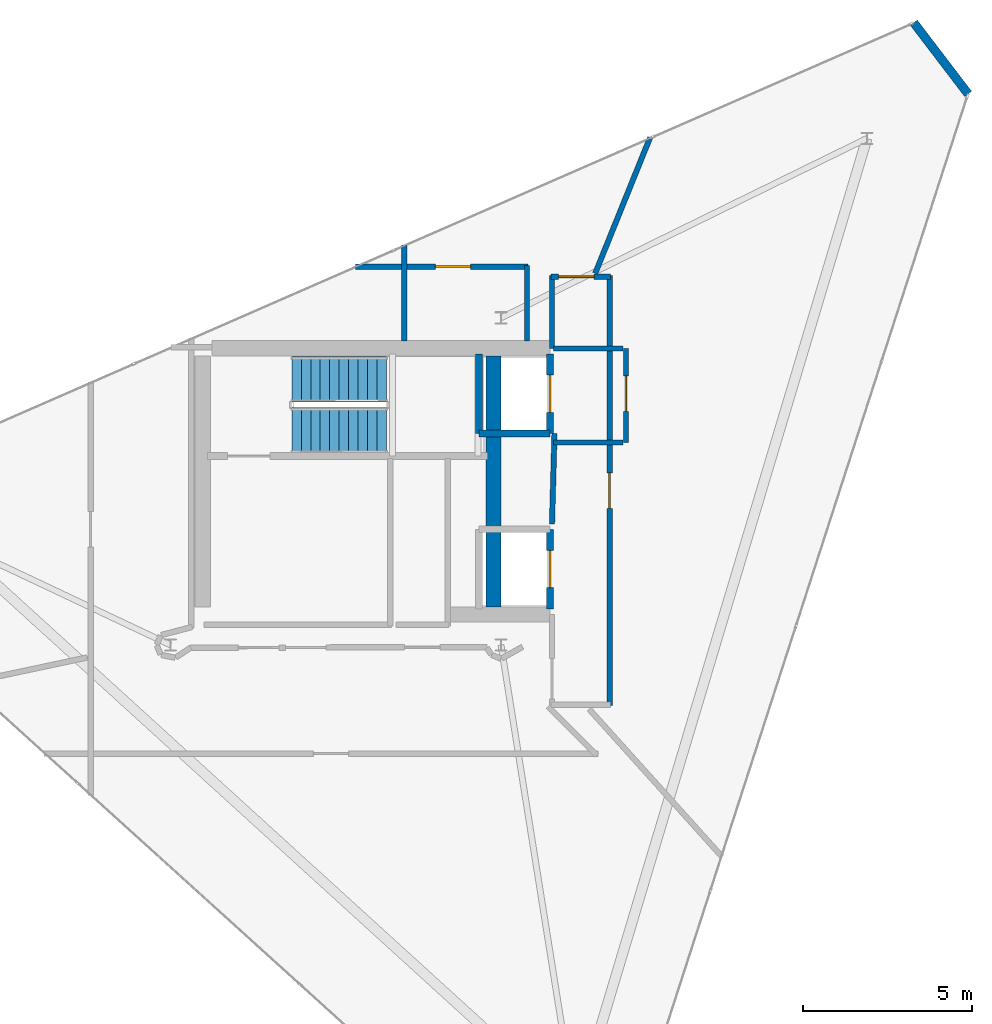
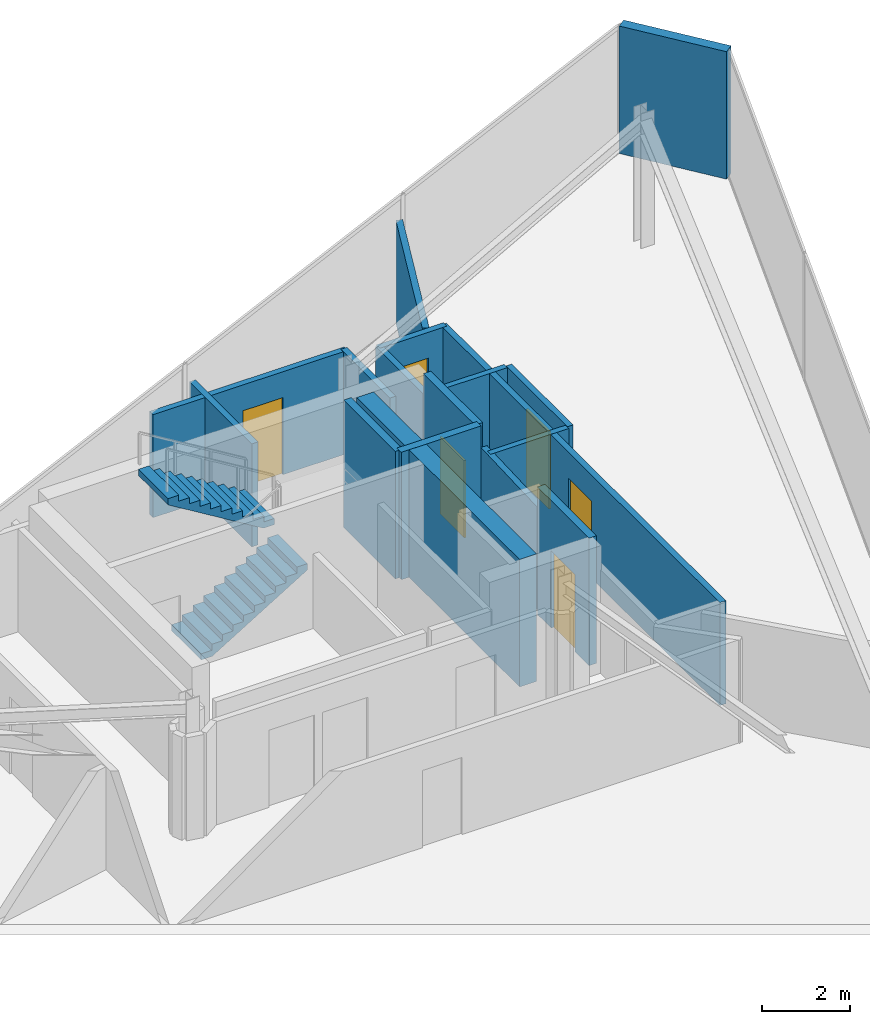
# One storey, part 13 of 14: 17 walls, 6 doors, 2 stair flights, 6 openings, 1 element without a shape of its own.
"""IFC4 building model written with IfcOpenShell, lengths in metres."""

import ifcopenshell
import ifcopenshell.guid

model = None  # the IFC model being written
_history = None  # IfcOwnerHistory: only IFC2X3 demands one
_inside = {}  # id of a spatial element -> (the spatial element, [elements in it])
_under = {}  # id of a project, library or spatial element -> (it, [spatial elements below it])
_declared = {}  # id of a project -> (the project, [libraries it declares])
_typed = {}  # id of a type object -> (the type object, [elements of that type])
_made_of = {}  # id of a material, layer set ... -> (it, [elements and type objects made of it])


def new_model(schema):
    """Start an empty IFC model of exactly this schema.

    Asked for "IFC4X3", IfcOpenShell would pick the latest addendum, in which some entities
    have other attributes; the version numbers below select the first issue.
    IFC2X3 requires an IfcOwnerHistory on every rooted entity: one is made here for all.
    """
    global model, _history
    if schema == "IFC4X3":
        model = ifcopenshell.file(schema_version=(4, 3, 0, 0))
    else:
        model = ifcopenshell.file(schema=schema)
    _inside.clear()
    _under.clear()
    _declared.clear()
    _typed.clear()
    _made_of.clear()
    _history = None
    if model.schema == "IFC2X3":
        org = make("IfcOrganization", Name="unknown")
        user = make(
            "IfcPersonAndOrganization",
            ThePerson=make("IfcPerson", FamilyName="unknown"),
            TheOrganization=org,
        )
        app = make(
            "IfcApplication",
            ApplicationDeveloper=org,
            Version="unknown",
            ApplicationFullName="unknown",
            ApplicationIdentifier="unknown",
        )
        _history = make(
            "IfcOwnerHistory",
            OwningUser=user,
            OwningApplication=app,
            ChangeAction="ADDED",
            CreationDate=0,
        )
    return model


def make(cls, **values):
    """One entity of the class cls with the attributes given. An attribute that is None is left unset."""
    return model.create_entity(
        cls, **{name: value for name, value in values.items() if value is not None}
    )


def rooted(cls, **values):
    """An entity with a GlobalId (a new one), such as an element, a storey or a relation."""
    return make(cls, GlobalId=ifcopenshell.guid.new(), OwnerHistory=_history, **values)


def si_unit(unit_type, name, prefix=None):
    """IfcSIUnit, for example si_unit("LENGTHUNIT", "METRE", prefix="MILLI")."""
    return make("IfcSIUnit", UnitType=unit_type, Prefix=prefix, Name=name)


def assignment(units):
    """IfcUnitAssignment: the units of a project."""
    return None if units is None else make("IfcUnitAssignment", Units=units)


def point(xyz):
    """IfcCartesianPoint."""
    return None if xyz is None else make("IfcCartesianPoint", Coordinates=xyz)


def direction(xyz):
    """IfcDirection."""
    return None if xyz is None else make("IfcDirection", DirectionRatios=xyz)


def frame(location, z_axis=None, x_axis=None):
    """IfcAxis2Placement3D, a coordinate frame: its origin and axes. An axis left out is left unset."""
    return make(
        "IfcAxis2Placement3D",
        Location=point(location),
        Axis=direction(z_axis),
        RefDirection=direction(x_axis),
    )


def frame_2d(location, x_axis=None):
    """IfcAxis2Placement2D, a coordinate frame in the plane: its origin and x axis."""
    return make(
        "IfcAxis2Placement2D", Location=point(location), RefDirection=direction(x_axis)
    )


def origin():
    """The frame at (0, 0, 0) with its axes left unset."""
    return frame((0.0, 0.0, 0.0))


def place(relative_to, where):
    """IfcLocalPlacement: puts the frame where relative to a parent placement (None: the world)."""
    return make(
        "IfcLocalPlacement", PlacementRelTo=relative_to, RelativePlacement=where
    )


def context(
    kind, dimensions, precision=None, world=None, true_north=None, identifier=None
):
    """IfcGeometricRepresentationContext, for example the 3D "Model" context."""
    return make(
        "IfcGeometricRepresentationContext",
        ContextIdentifier=identifier,
        ContextType=kind,
        CoordinateSpaceDimension=dimensions,
        Precision=precision,
        WorldCoordinateSystem=world,
        TrueNorth=true_north,
    )


def subcontext(parent, identifier, kind, view, scale=None):
    """IfcGeometricRepresentationSubContext, for example "Body" below "Model"."""
    return make(
        "IfcGeometricRepresentationSubContext",
        ContextIdentifier=identifier,
        ContextType=kind,
        ParentContext=parent,
        TargetScale=scale,
        TargetView=view,
    )


def project(units=None, contexts=None):
    """IfcProject with its units and contexts."""
    return rooted(
        "IfcProject",
        Name="project",
        RepresentationContexts=contexts,
        UnitsInContext=assignment(units),
    )


def spatial(cls, under=None, at=None, **own):
    """A site, building, storey or space (cls), placed at a placement, below another one or the project."""
    s = rooted(cls, ObjectPlacement=at, **own)
    if under is not None:
        _under.setdefault(under.id(), (under, []))[1].append(s)
    return s


def polyline(points):
    """IfcPolyline through the points."""
    return make("IfcPolyline", Points=[point(p) for p in points])


def profile(cls, at=None, kind="AREA", **sizes):
    """A parametric profile (cls). Its sizes go by their IFC names, for example OverallWidth=200.0."""
    return make(cls, ProfileType=kind, Position=at, **sizes)


def rectangle(**sizes):
    """IfcRectangleProfileDef."""
    return profile("IfcRectangleProfileDef", **sizes)


def outline(outer, holes=None, kind="AREA"):
    """IfcArbitraryClosedProfileDef: a profile drawn as a closed curve; with holes, ...WithVoids."""
    if holes is None:
        return make("IfcArbitraryClosedProfileDef", ProfileType=kind, OuterCurve=outer)
    return make(
        "IfcArbitraryProfileDefWithVoids",
        ProfileType=kind,
        OuterCurve=outer,
        InnerCurves=holes,
    )


def extrude(swept, where, along, depth):
    """IfcExtrudedAreaSolid: the profile swept, set in the frame where, extruded along a direction by depth."""
    return make(
        "IfcExtrudedAreaSolid",
        SweptArea=swept,
        Position=where,
        ExtrudedDirection=direction(along),
        Depth=depth,
    )


def shape(context_of_items, identifier, shape_type, items):
    """IfcShapeRepresentation: the items that make up one representation, for example the "Body"."""
    return make(
        "IfcShapeRepresentation",
        ContextOfItems=context_of_items,
        RepresentationIdentifier=identifier,
        RepresentationType=shape_type,
        Items=items,
    )


def material(Name=None, Category=None):
    """IfcMaterial."""
    return make("IfcMaterial", Name=Name, Category=Category)


def layer(
    of_material, thickness, ventilated=None, Name=None, Category=None, Priority=None
):
    """IfcMaterialLayer: one layer of a wall or slab, of a material (None: an air gap)."""
    return make(
        "IfcMaterialLayer",
        Material=of_material,
        LayerThickness=thickness,
        IsVentilated=ventilated,
        Name=Name,
        Category=Category,
        Priority=Priority,
    )


def layer_set(layers, Name=None):
    """IfcMaterialLayerSet."""
    return make("IfcMaterialLayerSet", MaterialLayers=layers, LayerSetName=Name)


def made_of(thing, what):
    """Note that an element or type object is made of a material, layer set ...; save() writes the relation."""
    if what is not None:
        _made_of.setdefault(what.id(), (what, []))[1].append(thing)
    return thing


def type_object(cls, material=None, **own):
    """A type object (cls), such as IfcWallType, which elements share."""
    return made_of(rooted(cls, **own), material)


def element(
    cls,
    number,
    at=None,
    inside=None,
    cuts=None,
    type_object=None,
    material=None,
    context=None,
    identifier="Body",
    shape_type=None,
    held_by="IfcProductDefinitionShape",
    body=None,
    shapes=None,
    **own,
):
    """One element of the class cls, such as IfcWall. Its Tag is "e" and its number.

    at: its placement. inside: the storey or other place that contains it. cuts: it is an
    opening in that element (IfcRelVoidsElement). A single representation is given by context,
    identifier, shape_type and body (its items); several are given by shapes. held_by: the class
    of the entity that holds the representations. save() writes the other relations.
    """
    e = rooted(cls, Tag="e%d" % number, ObjectPlacement=at, **own)
    if body is not None:
        shapes = [shape(context, identifier, shape_type, body)]
    if shapes is not None:
        e.Representation = make(held_by, Representations=shapes)
    if inside is not None:
        _inside.setdefault(inside.id(), (inside, []))[1].append(e)
    if cuts is not None:
        rooted(
            "IfcRelVoidsElement", RelatingBuildingElement=cuts, RelatedOpeningElement=e
        )
    if type_object is not None:
        _typed.setdefault(type_object.id(), (type_object, []))[1].append(e)
    return made_of(e, material)


def fill(opening, filler):
    """IfcRelFillsElement: the door or window that sits in an opening."""
    return rooted(
        "IfcRelFillsElement",
        RelatingOpeningElement=opening,
        RelatedBuildingElement=filler,
    )


def aggregate(whole, parts):
    """IfcRelAggregates: a whole, such as a stair, and the parts it consists of."""
    return rooted("IfcRelAggregates", RelatingObject=whole, RelatedObjects=parts)


def save(model, path):
    """Write the relations noted so far, then the file.

    IfcRelAggregates (storeys below a building ...), IfcRelContainedInSpatialStructure (elements
    in a storey), IfcRelDefinesByType, IfcRelAssociatesMaterial and IfcRelDeclares: one each for
    every whole, place, type object, material and project.
    """
    for whole, parts in _under.values():
        aggregate(whole, parts)
    for where, things in _inside.values():
        rooted(
            "IfcRelContainedInSpatialStructure",
            RelatedElements=things,
            RelatingStructure=where,
        )
    for kind, things in _typed.values():
        rooted("IfcRelDefinesByType", RelatedObjects=things, RelatingType=kind)
    for what, things in _made_of.values():
        rooted("IfcRelAssociatesMaterial", RelatedObjects=things, RelatingMaterial=what)
    for by, libraries in _declared.values():
        rooted("IfcRelDeclares", RelatingContext=by, RelatedDefinitions=libraries)
    model.write(path)


model = new_model("IFC4")

# Units and contexts
model_context = context("Model", 3, precision=1e-05, world=origin(), true_north=direction((0.0, 1.0)))
body_context = subcontext(model_context, "Body", "Model", "MODEL_VIEW")
ifc_project = project(units=[si_unit("LENGTHUNIT", "METRE"), si_unit("AREAUNIT", "SQUARE_METRE"), si_unit("VOLUMEUNIT", "CUBIC_METRE"), si_unit("PLANEANGLEUNIT", "RADIAN"), si_unit("MASSUNIT", "GRAM", prefix="KILO")], contexts=[model_context])

# Site, building, storey
site_placement = place(None, origin())
site = spatial("IfcSite", under=ifc_project, at=site_placement, CompositionType="ELEMENT")
building_placement = place(site_placement, origin())
building = spatial("IfcBuilding", under=site, at=building_placement, Name="Qianvela Tower", CompositionType="ELEMENT")
storey_placement = place(building_placement, frame((0.0, 0.0, 363.800048828125)))
storey = spatial("IfcBuildingStorey", under=building, at=storey_placement, Name="L94", CompositionType="ELEMENT", Elevation=363.800048828125)

# Walls
ifc_material_1 = material(Name="Terracotta Cladding on Concrete C40", Category="masonry")
ifc_layer_1 = layer(ifc_material_1, 0.260009765625)
ifc_layer_set_1 = layer_set([ifc_layer_1], Name="Terracotta Cladding on Concrete C40")
wall_type_1 = type_object("IfcWallType", Name="TERRACOTTA-WALL-260", PredefinedType="SOLIDWALL", material=ifc_layer_set_1)
wall_1_placement = place(storey_placement, frame((52.248291015625, 40.18701171875, 0.0), z_axis=(0.0, 0.0, 1.0), x_axis=(-0.606477726375, 0.795100476299, 0.0)))
element("IfcWall", 1, at=wall_1_placement, inside=storey, type_object=wall_type_1, Name="L94 Crown Terracotta Cladding Wall 1", PredefinedType="SOLIDWALL", context=body_context, shape_type="SweptSolid", body=[
    extrude(rectangle(XDim=2.6572265625, YDim=0.260009765625, at=frame_2d((1.32861328125, 0.0))), origin(), (0.0, 0.0, 1.0), 3.550048828125),
])
ifc_material_2 = material(Name="Concrete C50", Category="concrete")
ifc_layer_2 = layer(ifc_material_2, 0.449951171875)
ifc_layer_set_2 = layer_set([ifc_layer_2], Name="Concrete C50")
wall_type_2 = type_object("IfcWallType", Name="WT-CORE-450", PredefinedType="SHEAR", material=ifc_layer_set_2)
wall_2_placement = place(storey_placement, frame((38.179931640625, 24.97998046875, 0.0), z_axis=(0.0, 0.0, 1.0), x_axis=(0.0, 1.0, 0.0)))
element("IfcWall", 2, at=wall_2_placement, inside=storey, type_object=wall_type_2, Name="L94 East Spine Core Shear Wall", PredefinedType="SHEAR", context=body_context, shape_type="SweptSolid", body=[
    extrude(rectangle(XDim=7.43994140625, YDim=0.449951171875, at=frame_2d((3.719970703125, 0.0))), origin(), (0.0, 0.0, 1.0), 3.550048828125),
])

# Wall, opening, door
ifc_material_3 = material(Name="Fire-Rated Acoustic Gypsum Board")
ifc_layer_3 = layer(ifc_material_3, 0.14990234375)
ifc_layer_set_3 = layer_set([ifc_layer_3], Name="Fire-Rated Acoustic Gypsum Board")
wall_type_3 = type_object("IfcWallType", Name="WT-CORR-150", PredefinedType="PARTITIONING", material=ifc_layer_set_3)
wall_3_placement = place(storey_placement, frame((42.10009765625, 29.85009765625, 0.0), z_axis=(0.0, 0.0, 1.0), x_axis=(0.0, 1.0, 0.0)))
wall_3 = element("IfcWall", 3, at=wall_3_placement, inside=storey, type_object=wall_type_3, Name="L94 Crown Mechanical Plant Partition 1", PredefinedType="PARTITIONING", context=body_context, shape_type="SweptSolid", body=[
    extrude(rectangle(XDim=2.794921875, YDim=0.14990234375, at=frame_2d((1.3974609375, 0.0))), origin(), (0.0, 0.0, 1.0), 2.869873046875),
])
opening_1_placement = place(wall_3_placement, frame((0.925048828125, 0.0, 0.0)))
opening_1 = element("IfcOpeningElement", 4, at=opening_1_placement, cuts=wall_3, Name="Opening D-PL1", PredefinedType="OPENING", context=body_context, shape_type="SweptSolid", body=[
    extrude(rectangle(XDim=1.050048828125, YDim=2.14990234375, at=frame_2d((0.52490234375, 1.074951171875))), frame((0.0, 0.0849609375, 0.0), z_axis=(0.0, -1.0, 0.0), x_axis=(1.0, 0.0, 0.0)), (0.0, 0.0, 1.0), 0.169921875),
])
ifc_material_4 = material(Name="Insulated Steel Fire Door Q355B", Category="steel")
door_type_1 = type_object("IfcDoorType", Name="DT-PLANT-FD90", OperationType="NOTDEFINED", PredefinedType="DOOR", material=ifc_material_4)
door_1_placement = place(opening_1_placement, origin())
door_1 = element("IfcDoor", 5, at=door_1_placement, inside=storey, type_object=door_type_1, Name="L94 Crown Mechanical Plant Room Door", OperationType="SINGLE_SWING_LEFT", OverallHeight=2.14990234375, OverallWidth=1.050048828125, PredefinedType="DOOR", context=body_context, shape_type="SweptSolid", body=[
    extrude(rectangle(XDim=1.050048828125, YDim=2.14990234375, at=frame_2d((0.52490234375, 1.074951171875))), frame((0.0, 0.02490234375, 0.0), z_axis=(0.0, -1.0, 0.0), x_axis=(1.0, 0.0, 0.0)), (0.0, 0.0, 1.0), 0.050048828125),
])
fill(opening_1, door_1)

# Walls
for number, where, z_axis, x_axis, name in (
    (6, (39.9599609375, 29.85009765625, 0.0), (0.0, 0.0, 1.0), (1.0, 0.0, 0.0), "L94 Crown Mechanical Plant Partition 2"),
    (7, (39.9599609375, 32.64501953125, 0.0), (0.0, 0.0, 1.0), (1.0, 0.0, 0.0), "L94 Crown Mechanical Plant Partition 3"),
):
    element("IfcWall", number, at=place(storey_placement, frame(where, z_axis=z_axis, x_axis=x_axis)), inside=storey, type_object=wall_type_3, Name=name, PredefinedType="PARTITIONING", context=body_context, shape_type="SweptSolid", body=[
        extrude(rectangle(XDim=2.06005859375, YDim=0.14990234375, at=frame_2d((1.030029296875, 0.0))), origin(), (0.0, 0.0, 1.0), 2.869873046875),
    ])
ifc_material_5 = material(Name="Fire-Rated Gypsum and Concrete Block", Category="concrete")
ifc_layer_4 = layer(ifc_material_5, 0.159912109375)
ifc_layer_set_4 = layer_set([ifc_layer_4], Name="Fire-Rated Gypsum and Concrete Block")
wall_type_4 = type_object("IfcWallType", Name="WT-CORR-160", PredefinedType="PARTITIONING", material=ifc_layer_set_4)
wall_4_placement = place(storey_placement, frame((39.910888671875, 27.439208984375, 0.0), z_axis=(0.0, 0.0, 1.0), x_axis=(0.027673579092, 0.999617013171, 0.0)))
element("IfcWall", 8, at=wall_4_placement, inside=storey, type_object=wall_type_4, Name="L94 Partition 7 seg 1", PredefinedType="PARTITIONING", context=body_context, shape_type="SweptSolid", body=[
    extrude(rectangle(XDim=2.681884765625, YDim=0.159912109375, at=frame_2d((1.3408203125, 0.0))), origin(), (0.0, 0.0, 1.0), 2.869873046875),
])
wall_5_placement = place(storey_placement, frame((39.910888671875, 32.639892578125, 0.0), z_axis=(0.0, 0.0, 1.0), x_axis=(0.0, 1.0, 0.0)))
element("IfcWall", 9, at=wall_5_placement, inside=storey, type_object=wall_type_4, Name="L94 Partition 8", PredefinedType="PARTITIONING", context=body_context, shape_type="SweptSolid", body=[
    extrude(rectangle(XDim=2.16015625, YDim=0.159912109375, at=frame_2d((1.080078125, 0.0))), origin(), (0.0, 0.0, 1.0), 2.869873046875),
])

# Wall, opening, door
wall_6_placement = place(storey_placement, frame((39.8798828125, 34.76904296875, 0.0), z_axis=(0.0, 0.0, 1.0), x_axis=(1.0, 0.0, 0.0)))
wall_6 = element("IfcWall", 10, at=wall_6_placement, inside=storey, type_object=wall_type_4, Name="L94 Partition 9", PredefinedType="PARTITIONING", context=body_context, shape_type="SweptSolid", body=[
    extrude(rectangle(XDim=1.77001953125, YDim=0.159912109375, at=frame_2d((0.885009765625, 0.0))), origin(), (0.0, 0.0, 1.0), 2.869873046875),
])
opening_2_placement = place(wall_6_placement, frame((0.22998046875, 0.0, 0.0)))
opening_2 = element("IfcOpeningElement", 11, at=opening_2_placement, cuts=wall_6, Name="Opening D-PL1", PredefinedType="OPENING", context=body_context, shape_type="SweptSolid", body=[
    extrude(rectangle(XDim=1.050048828125, YDim=2.14990234375, at=frame_2d((0.52490234375, 1.074951171875))), frame((0.0, 0.08984375, 0.0), z_axis=(0.0, -1.0, 0.0), x_axis=(1.0, 0.0, 0.0)), (0.0, 0.0, 1.0), 0.179931640625),
])
door_2_placement = place(opening_2_placement, origin())
door_2 = element("IfcDoor", 12, at=door_2_placement, inside=storey, type_object=door_type_1, Name="L94 Door L94 Atrium Smoke Exhaust Plant Room to L94 Lift Lobby", OperationType="SINGLE_SWING_LEFT", OverallHeight=2.14990234375, OverallWidth=1.050048828125, PredefinedType="DOOR", context=body_context, shape_type="SweptSolid", body=[
    extrude(rectangle(XDim=1.050048828125, YDim=2.14990234375, at=frame_2d((0.52490234375, 1.074951171875))), frame((0.0, 0.02490234375, 0.0), z_axis=(0.0, -1.0, 0.0), x_axis=(1.0, 0.0, 0.0)), (0.0, 0.0, 1.0), 0.050048828125),
])
fill(opening_2, door_2)

wall_7_placement = place(storey_placement, frame((41.618896484375, 34.800048828125, 0.0), z_axis=(0.0, 0.0, 1.0), x_axis=(0.0, -1.0, 0.0)))
wall_7 = element("IfcWall", 13, at=wall_7_placement, inside=storey, type_object=wall_type_4, Name="L94 Partition 10", PredefinedType="PARTITIONING", context=body_context, shape_type="SweptSolid", body=[
    extrude(rectangle(XDim=12.75, YDim=0.159912109375, at=frame_2d((6.375, 0.0))), origin(), (0.0, 0.0, 1.0), 2.869873046875),
])
opening_3_placement = place(wall_7_placement, frame((5.85009765625, 0.0, 0.0)))
opening_3 = element("IfcOpeningElement", 14, at=opening_3_placement, cuts=wall_7, Name="Opening D-PL1", PredefinedType="OPENING", context=body_context, shape_type="SweptSolid", body=[
    extrude(rectangle(XDim=1.050048828125, YDim=2.14990234375, at=frame_2d((0.52490234375, 1.074951171875))), frame((0.0, 0.08984375, 0.0), z_axis=(0.0, -1.0, 0.0), x_axis=(1.0, 0.0, 0.0)), (0.0, 0.0, 1.0), 0.179931640625),
])
door_3_placement = place(opening_3_placement, origin())
door_3 = element("IfcDoor", 15, at=door_3_placement, inside=storey, type_object=door_type_1, Name="L94 Door L94 Solar Inverter Switchgear Plant Room to L94 Lift Lobby", OperationType="SINGLE_SWING_RIGHT", OverallHeight=2.14990234375, OverallWidth=1.050048828125, PredefinedType="DOOR", context=body_context, shape_type="SweptSolid", body=[
    extrude(rectangle(XDim=1.050048828125, YDim=2.14990234375, at=frame_2d((0.52490234375, 1.074951171875))), frame((0.0, 0.02490234375, 0.0), z_axis=(0.0, -1.0, 0.0), x_axis=(1.0, 0.0, 0.0)), (0.0, 0.0, 1.0), 0.050048828125),
])
fill(opening_3, door_3)

# Wall
wall_8_placement = place(storey_placement, frame((35.531005859375, 32.85791015625, 0.0), z_axis=(0.0, 0.0, 1.0), x_axis=(0.0, 1.0, 0.0)))
element("IfcWall", 16, at=wall_8_placement, inside=storey, type_object=wall_type_4, Name="L94 Partition 17", PredefinedType="PARTITIONING", context=body_context, shape_type="SweptSolid", body=[
    extrude(rectangle(XDim=2.8564453125, YDim=0.159912109375, at=frame_2d((1.42822265625, 0.0))), origin(), (0.0, 0.0, 1.0), 2.869873046875),
])

# Wall, opening, door
wall_9_placement = place(storey_placement, frame((34.080810546875, 35.069091796875, 0.0), z_axis=(0.0, 0.0, 1.0), x_axis=(1.0, 0.0, 0.0)))
wall_9 = element("IfcWall", 17, at=wall_9_placement, inside=storey, type_object=wall_type_4, Name="L94 Partition 18", PredefinedType="PARTITIONING", context=body_context, shape_type="SweptSolid", body=[
    extrude(rectangle(XDim=5.119140625, YDim=0.159912109375, at=frame_2d((2.5595703125, 0.0))), origin(), (0.0, 0.0, 1.0), 2.869873046875),
])
opening_4_placement = place(wall_9_placement, frame((2.369384765625, 0.0, 0.0)))
opening_4 = element("IfcOpeningElement", 18, at=opening_4_placement, cuts=wall_9, Name="Opening D-PL1", PredefinedType="OPENING", context=body_context, shape_type="SweptSolid", body=[
    extrude(rectangle(XDim=1.050048828125, YDim=2.14990234375, at=frame_2d((0.52490234375, 1.074951171875))), frame((0.0, 0.08984375, 0.0), z_axis=(0.0, -1.0, 0.0), x_axis=(1.0, 0.0, 0.0)), (0.0, 0.0, 1.0), 0.179931640625),
])
door_4_placement = place(opening_4_placement, origin())
door_4 = element("IfcDoor", 19, at=door_4_placement, inside=storey, type_object=door_type_1, Name="L94 Door L94 Reclaimed Shaft Equipment Store to L94 Atrium Smoke Exhaust Plant Room", OperationType="SINGLE_SWING_LEFT", OverallHeight=2.14990234375, OverallWidth=1.050048828125, PredefinedType="DOOR", context=body_context, shape_type="SweptSolid", body=[
    extrude(rectangle(XDim=1.050048828125, YDim=2.14990234375, at=frame_2d((0.52490234375, 1.074951171875))), frame((0.0, 0.02490234375, 0.0), z_axis=(0.0, -1.0, 0.0), x_axis=(1.0, 0.0, 0.0)), (0.0, 0.0, 1.0), 0.050048828125),
])
fill(opening_4, door_4)

# Walls
wall_10_placement = place(storey_placement, frame((39.1689453125, 35.10009765625, 0.0), z_axis=(0.0, 0.0, 1.0), x_axis=(0.0, -1.0, 0.0)))
element("IfcWall", 20, at=wall_10_placement, inside=storey, type_object=wall_type_4, Name="L94 Partition 19", PredefinedType="PARTITIONING", context=body_context, shape_type="SweptSolid", body=[
    extrude(rectangle(XDim=2.2421875, YDim=0.159912109375, at=frame_2d((1.12109375, 0.0))), origin(), (0.0, 0.0, 1.0), 2.869873046875),
])
wall_11_placement = place(storey_placement, frame((41.19189453125, 34.868408203125, 0.0), z_axis=(0.0, 0.0, 1.0), x_axis=(0.374633996442, 0.927172782555, 0.0)))
element("IfcWall", 21, at=wall_11_placement, inside=storey, type_object=wall_type_4, Name="L94 Partition 46", PredefinedType="PARTITIONING", context=body_context, shape_type="SweptSolid", body=[
    extrude(rectangle(XDim=4.3447265625, YDim=0.159912109375, at=frame_2d((2.17236328125, 0.0))), origin(), (0.0, 0.0, 1.0), 2.869873046875),
])

# Wall, opening, door
ifc_material_6 = material(Name="Concrete C50", Category="concrete")
ifc_layer_5 = layer(ifc_material_6, 0.199951171875)
ifc_layer_set_5 = layer_set([ifc_layer_5], Name="Concrete C50")
wall_type_5 = type_object("IfcWallType", Name="WT-SHAFT-200", PredefinedType="SOLIDWALL", material=ifc_layer_set_5)
wall_12_placement = place(storey_placement, frame((39.85009765625, 30.1201171875, 0.0), z_axis=(0.0, 0.0, 1.0), x_axis=(0.0, 1.0, 0.0)))
wall_12 = element("IfcWall", 22, at=wall_12_placement, inside=storey, type_object=wall_type_5, Name="L94 Lift FL-1 E Shaft Wall", PredefinedType="SOLIDWALL", context=body_context, shape_type="SweptSolid", body=[
    extrude(rectangle(XDim=2.35986328125, YDim=0.199951171875, at=frame_2d((1.179931640625, 0.0))), origin(), (0.0, 0.0, 1.0), 3.550048828125),
])
opening_5_placement = place(wall_12_placement, frame((0.6298828125, 0.0, 0.0)))
opening_5 = element("IfcOpeningElement", 23, at=opening_5_placement, cuts=wall_12, Name="Opening LD-01", PredefinedType="OPENING", context=body_context, shape_type="SweptSolid", body=[
    extrude(rectangle(XDim=1.10009765625, YDim=2.14990234375, at=frame_2d((0.550048828125, 1.074951171875))), frame((0.0, 0.10986328125, 0.0), z_axis=(0.0, -1.0, 0.0), x_axis=(1.0, 0.0, 0.0)), (0.0, 0.0, 1.0), 0.219970703125),
])
ifc_material_7 = material(Name="Brushed Stainless Steel Lift Landing Door", Category="steel")
door_type_2 = type_object("IfcDoorType", Name="DT-LIFT-SLIDE-1100", OperationType="SLIDING_TO_LEFT", PredefinedType="DOOR", material=ifc_material_7)
door_5_placement = place(opening_5_placement, origin())
door_5 = element("IfcDoor", 24, at=door_5_placement, inside=storey, type_object=door_type_2, Name="L94 Lift FL-1 Sliding Landing Door", OperationType="SLIDING_TO_LEFT", OverallHeight=2.14990234375, OverallWidth=1.10009765625, PredefinedType="DOOR", context=body_context, shape_type="SweptSolid", body=[
    extrude(rectangle(XDim=1.10009765625, YDim=2.14990234375, at=frame_2d((0.550048828125, 1.074951171875))), frame((0.0, 0.02490234375, 0.0), z_axis=(0.0, -1.0, 0.0), x_axis=(1.0, 0.0, 0.0)), (0.0, 0.0, 1.0), 0.050048828125),
])
fill(opening_5, door_5)

# Walls
wall_13_placement = place(storey_placement, frame((37.75, 30.1201171875, 0.0), z_axis=(0.0, 0.0, 1.0), x_axis=(0.0, 1.0, 0.0)))
element("IfcWall", 25, at=wall_13_placement, inside=storey, type_object=wall_type_5, Name="L94 Lift FL-1 W Shaft Wall", PredefinedType="SOLIDWALL", context=body_context, shape_type="SweptSolid", body=[
    extrude(rectangle(XDim=2.35986328125, YDim=0.199951171875, at=frame_2d((1.179931640625, 0.0))), origin(), (0.0, 0.0, 1.0), 3.550048828125),
])
wall_14_placement = place(storey_placement, frame((37.75, 30.1201171875, 0.0), z_axis=(0.0, 0.0, 1.0), x_axis=(1.0, 0.0, 0.0)))
element("IfcWall", 26, at=wall_14_placement, inside=storey, type_object=wall_type_5, Name="L94 Lift FL-1 S Shaft Wall", PredefinedType="SOLIDWALL", context=body_context, shape_type="SweptSolid", body=[
    extrude(rectangle(XDim=2.10009765625, YDim=0.199951171875, at=frame_2d((1.050048828125, 0.0))), origin(), (0.0, 0.0, 1.0), 3.550048828125),
])

# Wall, opening, door
wall_15_placement = place(storey_placement, frame((39.85009765625, 24.919921875, 0.0), z_axis=(0.0, 0.0, 1.0), x_axis=(0.0, 1.0, 0.0)))
wall_15 = element("IfcWall", 27, at=wall_15_placement, inside=storey, type_object=wall_type_5, Name="L94 Lift FL-2 E Shaft Wall", PredefinedType="SOLIDWALL", context=body_context, shape_type="SweptSolid", body=[
    extrude(rectangle(XDim=2.360107421875, YDim=0.199951171875, at=frame_2d((1.18017578125, 0.0))), origin(), (0.0, 0.0, 1.0), 3.550048828125),
])
opening_6_placement = place(wall_15_placement, frame((0.6298828125, 0.0, 0.0)))
opening_6 = element("IfcOpeningElement", 28, at=opening_6_placement, cuts=wall_15, Name="Opening LD-01", PredefinedType="OPENING", context=body_context, shape_type="SweptSolid", body=[
    extrude(rectangle(XDim=1.10009765625, YDim=2.14990234375, at=frame_2d((0.550048828125, 1.074951171875))), frame((0.0, 0.10986328125, 0.0), z_axis=(0.0, -1.0, 0.0), x_axis=(1.0, 0.0, 0.0)), (0.0, 0.0, 1.0), 0.219970703125),
])
door_6_placement = place(opening_6_placement, origin())
door_6 = element("IfcDoor", 29, at=door_6_placement, inside=storey, type_object=door_type_2, Name="L94 Lift FL-2 Sliding Landing Door", OperationType="SLIDING_TO_LEFT", OverallHeight=2.14990234375, OverallWidth=1.10009765625, PredefinedType="DOOR", context=body_context, shape_type="SweptSolid", body=[
    extrude(rectangle(XDim=1.10009765625, YDim=2.14990234375, at=frame_2d((0.550048828125, 1.074951171875))), frame((0.0, 0.02490234375, 0.0), z_axis=(0.0, -1.0, 0.0), x_axis=(1.0, 0.0, 0.0)), (0.0, 0.0, 1.0), 0.050048828125),
])
fill(opening_6, door_6)

# Stair, stair flights
ifc_material_8 = material(Name="Concrete C40", Category="concrete")
stair_type = type_object("IfcStairType", Name="ST-DOGLEG-1350-R170-N22", PredefinedType="HALF_TURN_STAIR", material=ifc_material_8)
stair_placement = place(storey_placement, origin())
stair = element("IfcStair", 30, at=stair_placement, inside=storey, type_object=stair_type, Name="L94 Smoke-Proof Core Stair ST-1", PredefinedType="HALF_TURN_STAIR")
ifc_material_9 = material(Name="Concrete C40", Category="concrete")
stair_flight_type = type_object("IfcStairFlightType", Name="STF-STRAIGHT-R170-P11", PredefinedType="STRAIGHT", material=ifc_material_9)
stair_flight_1_placement = place(storey_placement, frame((32.199951171875, 30.215087890625, 0.0), z_axis=(0.0, 0.0, 1.0), x_axis=(1.0, 0.0, 0.0)))
stair_flight_1 = element("IfcStairFlight", 31, at=stair_flight_1_placement, type_object=stair_flight_type, Name="ST-1 flight 1", NumberOfRisers=11, NumberOfTreads=10, PredefinedType="STRAIGHT", RiserHeight=0.170454545, TreadLength=0.28, context=body_context, shape_type="SweptSolid", body=[
    extrude(outline(polyline([(0.0, 0.0), (0.0, 0.17041015625), (0.280029296875, 0.17041015625), (0.280029296875, 0.3408203125), (0.56005859375, 0.3408203125), (0.56005859375, 0.511474609375), (0.840087890625, 0.511474609375), (0.840087890625, 0.681884765625), (1.1201171875, 0.681884765625), (1.1201171875, 0.852294921875), (1.39990234375, 0.852294921875), (1.39990234375, 1.022705078125), (1.679931640625, 1.022705078125), (1.679931640625, 1.193115234375), (1.9599609375, 1.193115234375), (1.9599609375, 1.363525390625), (2.239990234375, 1.363525390625), (2.239990234375, 1.5341796875), (2.52001953125, 1.5341796875), (2.52001953125, 1.70458984375), (2.800048828125, 1.70458984375), (2.800048828125, 1.875), (2.800048828125, 1.529052734375), (0.288330078125, 0.0), (0.0, 0.0)])), frame((0.0, 0.675048828125, 0.0), z_axis=(0.0, -1.0, 0.0), x_axis=(1.0, 0.0, 0.0)), (0.0, 0.0, 1.0), 1.35009765625),
])
stair_flight_2_placement = place(storey_placement, frame((35.0, 31.72509765625, 1.875), z_axis=(0.0, 0.0, 1.0), x_axis=(-1.0, 0.0, 0.0)))
stair_flight_2 = element("IfcStairFlight", 32, at=stair_flight_2_placement, type_object=stair_flight_type, Name="ST-1 flight 2", NumberOfRisers=11, NumberOfTreads=10, PredefinedType="STRAIGHT", RiserHeight=0.170454545, TreadLength=0.28, context=body_context, shape_type="SweptSolid", body=[
    extrude(outline(polyline([(0.0, 0.0), (0.0, 0.17041015625), (0.280029296875, 0.17041015625), (0.280029296875, 0.3408203125), (0.56005859375, 0.3408203125), (0.56005859375, 0.511474609375), (0.840087890625, 0.511474609375), (0.840087890625, 0.681884765625), (1.1201171875, 0.681884765625), (1.1201171875, 0.852294921875), (1.39990234375, 0.852294921875), (1.39990234375, 1.022705078125), (1.679931640625, 1.022705078125), (1.679931640625, 1.193115234375), (1.9599609375, 1.193115234375), (1.9599609375, 1.363525390625), (2.239990234375, 1.363525390625), (2.239990234375, 1.5341796875), (2.52001953125, 1.5341796875), (2.52001953125, 1.70458984375), (2.800048828125, 1.70458984375), (2.800048828125, 1.875), (2.800048828125, 1.529052734375), (0.288330078125, 0.0), (0.0, 0.0)])), frame((0.0, 0.675048828125, 0.0), z_axis=(0.0, -1.0, 0.0), x_axis=(1.0, 0.0, 0.0)), (0.0, 0.0, 1.0), 1.35009765625),
])
aggregate(stair, [stair_flight_1, stair_flight_2])

save(model, "model.ifc")
